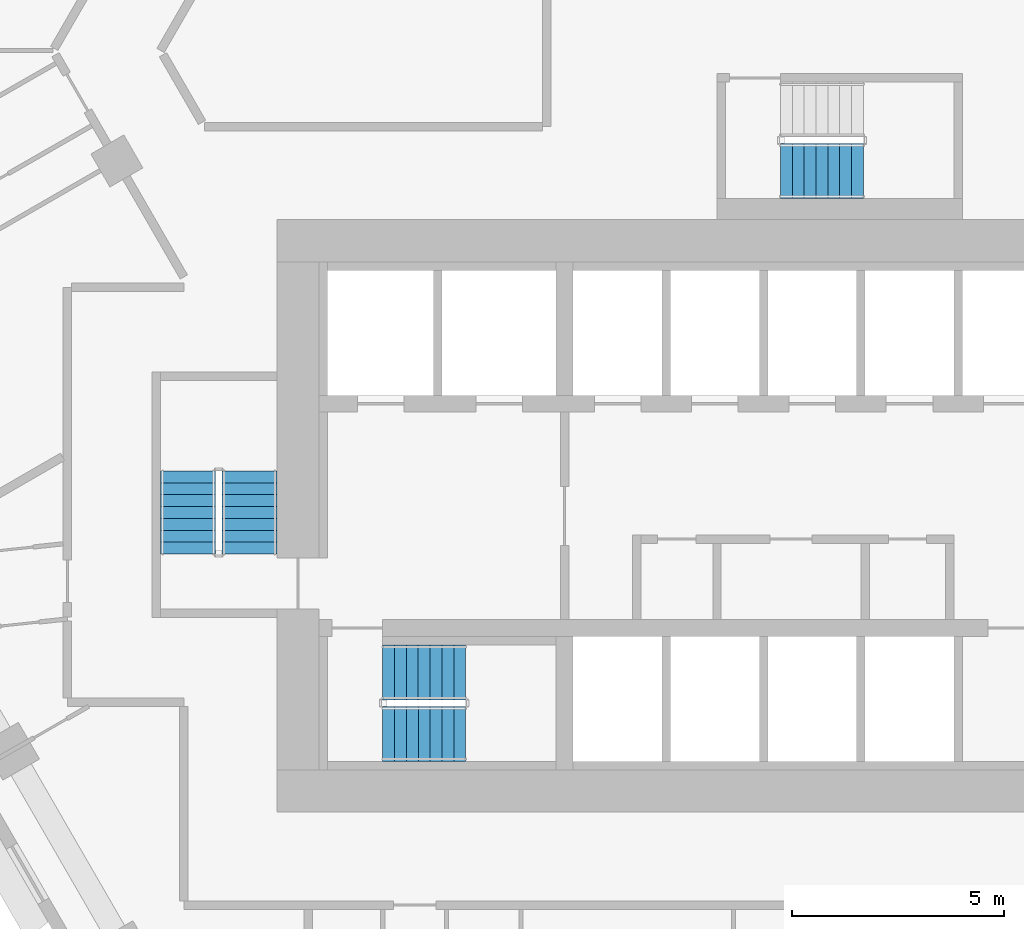
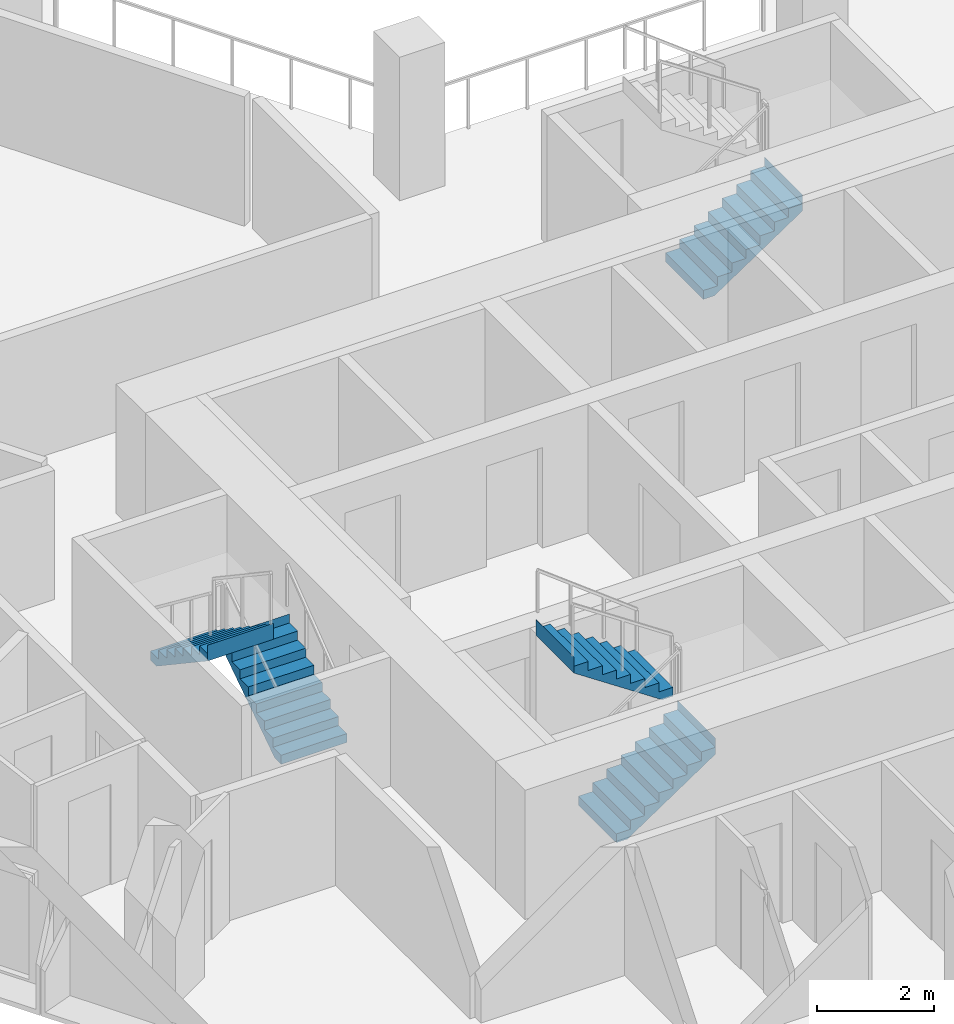
# One storey, part 11 of 16: 5 stair flights, 3 elements without a shape of their own.
"""IFC4 building model written with IfcOpenShell, lengths in metres."""

from ifc_helpers import new_model, si_unit, direction, frame, origin, place, context, subcontext, project, spatial, triangles, material, type_object, element, aggregate, save


model = new_model("IFC4")

# Units and contexts
model_context = context("Model", 3, precision=1e-05, world=origin(), true_north=direction((0.0, 1.0)))
body_context = subcontext(model_context, "Body", "Model", "MODEL_VIEW")
ifc_project = project(units=[si_unit("LENGTHUNIT", "METRE"), si_unit("AREAUNIT", "SQUARE_METRE"), si_unit("VOLUMEUNIT", "CUBIC_METRE"), si_unit("PLANEANGLEUNIT", "RADIAN"), si_unit("MASSUNIT", "GRAM", prefix="KILO")], contexts=[model_context])

# Site, building, storey
site_placement = place(None, origin())
site = spatial("IfcSite", under=ifc_project, at=site_placement, CompositionType="ELEMENT")
building_placement = place(site_placement, origin())
building = spatial("IfcBuilding", under=site, at=building_placement, Name="Beryl Residences", CompositionType="ELEMENT")
storey_placement = place(building_placement, frame((0.0, 0.0, 90.0)))
storey = spatial("IfcBuildingStorey", under=building, at=storey_placement, Name="L27", CompositionType="ELEMENT", Elevation=90.0)

# Stair, stair flights
ifc_material_1 = material(Name="Concrete C40/50", Category="concrete")
stair_type = type_object("IfcStairType", Name="ST1 protected exit stair, half-turn, 1300 mm flights", PredefinedType="HALF_TURN_STAIR", material=ifc_material_1)
stair_1_placement = place(storey_placement, origin())
stair_1 = element("IfcStair", 1, at=stair_1_placement, inside=storey, type_object=stair_type, Name="L27 PROTECTED EXIT STAIR ST-1", PredefinedType="HALF_TURN_STAIR")
ifc_material_2 = material(Name="Concrete C40/50", Category="concrete")
stair_flight_type = type_object("IfcStairFlightType", Name="SF1 stair flight 1300 mm", PredefinedType="STRAIGHT", material=ifc_material_2)
stair_flight_1_placement = place(storey_placement, frame((-10.800048828125, -17.14990234375, 0.0), z_axis=(0.0, 0.0, 1.0), x_axis=(1.0, 0.0, 0.0)))
stair_flight_1 = element("IfcStairFlight", 2, at=stair_flight_1_placement, type_object=stair_flight_type, Name="ST-1 flight 1", NumberOfRisers=8, NumberOfTreads=7, PredefinedType="STRAIGHT", RiserHeight=0.1875, TreadLength=0.28, context=body_context, shape_type="Tessellation", body=[
    triangles([(0.0, -0.64990234375, 0.0), (0.0, -0.324951171875, 0.0), (0.0, 0.0, 0.0), (0.0, 0.324951171875, 0.0), (0.0, 0.64990234375, 0.0), (0.0, -0.64990234375, 0.1875), (0.0, -0.324951171875, 0.1875), (0.0, 0.0, 0.1875), (0.0, 0.324951171875, 0.1875), (0.0, 0.64990234375, 0.1875), (0.280029296875, -0.64990234375, 0.1875), (0.280029296875, -0.324951171875, 0.1875), (0.280029296875, 0.0, 0.1875), (0.280029296875, 0.324951171875, 0.1875), (0.280029296875, 0.64990234375, 0.1875), (0.280029296875, -0.64990234375, 0.375), (0.280029296875, -0.324951171875, 0.375), (0.280029296875, 0.0, 0.375), (0.280029296875, 0.324951171875, 0.375), (0.280029296875, 0.64990234375, 0.375), (0.56005859375, -0.64990234375, 0.375), (0.56005859375, -0.324951171875, 0.375), (0.56005859375, 0.0, 0.375), (0.56005859375, 0.324951171875, 0.375), (0.56005859375, 0.64990234375, 0.375), (0.56005859375, -0.64990234375, 0.5625), (0.56005859375, -0.324951171875, 0.5625), (0.56005859375, 0.0, 0.5625), (0.56005859375, 0.324951171875, 0.5625), (0.56005859375, 0.64990234375, 0.5625), (0.840087890625, -0.64990234375, 0.5625), (0.840087890625, -0.324951171875, 0.5625), (0.840087890625, 0.0, 0.5625), (0.840087890625, 0.324951171875, 0.5625), (0.840087890625, 0.64990234375, 0.5625), (0.840087890625, -0.64990234375, 0.75), (0.840087890625, -0.324951171875, 0.75), (0.840087890625, 0.0, 0.75), (0.840087890625, 0.324951171875, 0.75), (0.840087890625, 0.64990234375, 0.75), (1.1201171875, -0.64990234375, 0.75), (1.1201171875, -0.324951171875, 0.75), (1.1201171875, 0.0, 0.75), (1.1201171875, 0.324951171875, 0.75), (1.1201171875, 0.64990234375, 0.75), (1.1201171875, -0.64990234375, 0.9375), (1.1201171875, -0.324951171875, 0.9375), (1.1201171875, 0.0, 0.9375), (1.1201171875, 0.324951171875, 0.9375), (1.1201171875, 0.64990234375, 0.9375), (1.39990234375, -0.64990234375, 0.9375), (1.39990234375, -0.324951171875, 0.9375), (1.39990234375, 0.0, 0.9375), (1.39990234375, 0.324951171875, 0.9375), (1.39990234375, 0.64990234375, 0.9375), (1.39990234375, -0.64990234375, 1.125), (1.39990234375, -0.324951171875, 1.125), (1.39990234375, 0.0, 1.125), (1.39990234375, 0.324951171875, 1.125), (1.39990234375, 0.64990234375, 1.125), (1.679931640625, -0.64990234375, 1.125), (1.679931640625, -0.324951171875, 1.125), (1.679931640625, 0.0, 1.125), (1.679931640625, 0.324951171875, 1.125), (1.679931640625, 0.64990234375, 1.125), (1.679931640625, -0.64990234375, 1.3125), (1.679931640625, -0.324951171875, 1.3125), (1.679931640625, 0.0, 1.3125), (1.679931640625, 0.324951171875, 1.3125), (1.679931640625, 0.64990234375, 1.3125), (1.9599609375, -0.64990234375, 1.3125), (1.9599609375, -0.324951171875, 1.3125), (1.9599609375, 0.0, 1.3125), (1.9599609375, 0.324951171875, 1.3125), (1.9599609375, 0.64990234375, 1.3125), (1.9599609375, -0.64990234375, 1.5), (1.9599609375, -0.324951171875, 1.5), (1.9599609375, 0.0, 1.5), (1.9599609375, 0.324951171875, 1.5), (1.9599609375, 0.64990234375, 1.5), (1.9609375, -0.64990234375, 1.5), (1.9609375, -0.324951171875, 1.5), (1.9609375, 0.0, 1.5), (1.9609375, 0.324951171875, 1.5), (1.9609375, 0.64990234375, 1.5), (1.9609375, -0.64990234375, 1.16796875), (1.9609375, -0.324951171875, 1.16796875), (1.9609375, 0.0, 1.16796875), (1.9609375, 0.324951171875, 1.16796875), (1.9609375, 0.64990234375, 1.16796875), (0.216796875, -0.64990234375, 0.0), (0.216796875, -0.324951171875, 0.0), (0.216796875, 0.0, 0.0), (0.216796875, 0.324951171875, 0.0), (0.216796875, 0.64990234375, 0.0)], [[1, 6, 7], [1, 7, 2], [2, 7, 8], [2, 8, 3], [3, 8, 9], [3, 9, 4], [4, 9, 10], [4, 10, 5], [6, 11, 12], [6, 12, 7], [7, 12, 13], [7, 13, 8], [8, 13, 14], [8, 14, 9], [9, 14, 15], [9, 15, 10], [11, 16, 17], [11, 17, 12], [12, 17, 18], [12, 18, 13], [13, 18, 19], [13, 19, 14], [14, 19, 20], [14, 20, 15], [16, 21, 22], [16, 22, 17], [17, 22, 23], [17, 23, 18], [18, 23, 24], [18, 24, 19], [19, 24, 25], [19, 25, 20], [21, 26, 27], [21, 27, 22], [22, 27, 28], [22, 28, 23], [23, 28, 29], [23, 29, 24], [24, 29, 30], [24, 30, 25], [26, 31, 32], [26, 32, 27], [27, 32, 33], [27, 33, 28], [28, 33, 34], [28, 34, 29], [29, 34, 35], [29, 35, 30], [31, 36, 37], [31, 37, 32], [32, 37, 38], [32, 38, 33], [33, 38, 39], [33, 39, 34], [34, 39, 40], [34, 40, 35], [36, 41, 42], [36, 42, 37], [37, 42, 43], [37, 43, 38], [38, 43, 44], [38, 44, 39], [39, 44, 45], [39, 45, 40], [41, 46, 47], [41, 47, 42], [42, 47, 48], [42, 48, 43], [43, 48, 49], [43, 49, 44], [44, 49, 50], [44, 50, 45], [46, 51, 52], [46, 52, 47], [47, 52, 53], [47, 53, 48], [48, 53, 54], [48, 54, 49], [49, 54, 55], [49, 55, 50], [51, 56, 57], [51, 57, 52], [52, 57, 58], [52, 58, 53], [53, 58, 59], [53, 59, 54], [54, 59, 60], [54, 60, 55], [56, 61, 62], [56, 62, 57], [57, 62, 63], [57, 63, 58], [58, 63, 64], [58, 64, 59], [59, 64, 65], [59, 65, 60], [61, 66, 67], [61, 67, 62], [62, 67, 68], [62, 68, 63], [63, 68, 69], [63, 69, 64], [64, 69, 70], [64, 70, 65], [66, 71, 72], [66, 72, 67], [67, 72, 73], [67, 73, 68], [68, 73, 74], [68, 74, 69], [69, 74, 75], [69, 75, 70], [71, 76, 77], [71, 77, 72], [72, 77, 78], [72, 78, 73], [73, 78, 79], [73, 79, 74], [74, 79, 80], [74, 80, 75], [76, 81, 82], [76, 82, 77], [77, 82, 83], [77, 83, 78], [78, 83, 84], [78, 84, 79], [79, 84, 85], [79, 85, 80], [81, 86, 87], [81, 87, 82], [82, 87, 88], [82, 88, 83], [83, 88, 89], [83, 89, 84], [84, 89, 90], [84, 90, 85], [86, 91, 92], [86, 92, 87], [87, 92, 93], [87, 93, 88], [88, 93, 94], [88, 94, 89], [89, 94, 95], [89, 95, 90], [91, 1, 2], [91, 2, 92], [92, 2, 3], [92, 3, 93], [93, 3, 4], [93, 4, 94], [94, 4, 5], [94, 5, 95], [1, 91, 86], [5, 90, 95], [86, 81, 76], [90, 80, 85], [86, 76, 71], [90, 75, 80], [86, 71, 66], [90, 70, 75], [86, 66, 61], [90, 65, 70], [61, 56, 51], [65, 55, 60], [86, 61, 51], [90, 55, 65], [51, 46, 41], [55, 45, 50], [86, 51, 41], [90, 45, 55], [41, 36, 31], [45, 35, 40], [86, 41, 31], [90, 35, 45], [31, 26, 21], [35, 25, 30], [86, 31, 21], [90, 25, 35], [21, 16, 11], [25, 15, 20], [86, 21, 11], [90, 15, 25], [1, 86, 11], [5, 15, 90], [11, 6, 1], [15, 5, 10]], closed=True),
])
stair_flight_2_placement = place(storey_placement, frame((-8.840087890625, -15.699951171875, 1.5), z_axis=(0.0, 0.0, 1.0), x_axis=(-1.0, 0.0, 0.0)))
stair_flight_2 = element("IfcStairFlight", 3, at=stair_flight_2_placement, type_object=stair_flight_type, Name="ST-1 flight 2", NumberOfRisers=8, NumberOfTreads=7, PredefinedType="STRAIGHT", RiserHeight=0.1875, TreadLength=0.28, context=body_context, shape_type="Tessellation", body=[
    triangles([(0.0, -0.64990234375, 0.0), (0.0, -0.324951171875, 0.0), (0.0, 0.0, 0.0), (0.0, 0.324951171875, 0.0), (0.0, 0.64990234375, 0.0), (0.0, -0.64990234375, 0.1875), (0.0, -0.324951171875, 0.1875), (0.0, 0.0, 0.1875), (0.0, 0.324951171875, 0.1875), (0.0, 0.64990234375, 0.1875), (0.280029296875, -0.64990234375, 0.1875), (0.280029296875, -0.324951171875, 0.1875), (0.280029296875, 0.0, 0.1875), (0.280029296875, 0.324951171875, 0.1875), (0.280029296875, 0.64990234375, 0.1875), (0.280029296875, -0.64990234375, 0.375), (0.280029296875, -0.324951171875, 0.375), (0.280029296875, 0.0, 0.375), (0.280029296875, 0.324951171875, 0.375), (0.280029296875, 0.64990234375, 0.375), (0.56005859375, -0.64990234375, 0.375), (0.56005859375, -0.324951171875, 0.375), (0.56005859375, 0.0, 0.375), (0.56005859375, 0.324951171875, 0.375), (0.56005859375, 0.64990234375, 0.375), (0.56005859375, -0.64990234375, 0.5625), (0.56005859375, -0.324951171875, 0.5625), (0.56005859375, 0.0, 0.5625), (0.56005859375, 0.324951171875, 0.5625), (0.56005859375, 0.64990234375, 0.5625), (0.840087890625, -0.64990234375, 0.5625), (0.840087890625, -0.324951171875, 0.5625), (0.840087890625, 0.0, 0.5625), (0.840087890625, 0.324951171875, 0.5625), (0.840087890625, 0.64990234375, 0.5625), (0.840087890625, -0.64990234375, 0.75), (0.840087890625, -0.324951171875, 0.75), (0.840087890625, 0.0, 0.75), (0.840087890625, 0.324951171875, 0.75), (0.840087890625, 0.64990234375, 0.75), (1.1201171875, -0.64990234375, 0.75), (1.1201171875, -0.324951171875, 0.75), (1.1201171875, 0.0, 0.75), (1.1201171875, 0.324951171875, 0.75), (1.1201171875, 0.64990234375, 0.75), (1.1201171875, -0.64990234375, 0.9375), (1.1201171875, -0.324951171875, 0.9375), (1.1201171875, 0.0, 0.9375), (1.1201171875, 0.324951171875, 0.9375), (1.1201171875, 0.64990234375, 0.9375), (1.39990234375, -0.64990234375, 0.9375), (1.39990234375, -0.324951171875, 0.9375), (1.39990234375, 0.0, 0.9375), (1.39990234375, 0.324951171875, 0.9375), (1.39990234375, 0.64990234375, 0.9375), (1.39990234375, -0.64990234375, 1.125), (1.39990234375, -0.324951171875, 1.125), (1.39990234375, 0.0, 1.125), (1.39990234375, 0.324951171875, 1.125), (1.39990234375, 0.64990234375, 1.125), (1.679931640625, -0.64990234375, 1.125), (1.679931640625, -0.324951171875, 1.125), (1.679931640625, 0.0, 1.125), (1.679931640625, 0.324951171875, 1.125), (1.679931640625, 0.64990234375, 1.125), (1.679931640625, -0.64990234375, 1.3125), (1.679931640625, -0.324951171875, 1.3125), (1.679931640625, 0.0, 1.3125), (1.679931640625, 0.324951171875, 1.3125), (1.679931640625, 0.64990234375, 1.3125), (1.9599609375, -0.64990234375, 1.3125), (1.9599609375, -0.324951171875, 1.3125), (1.9599609375, 0.0, 1.3125), (1.9599609375, 0.324951171875, 1.3125), (1.9599609375, 0.64990234375, 1.3125), (1.9599609375, -0.64990234375, 1.5), (1.9599609375, -0.324951171875, 1.5), (1.9599609375, 0.0, 1.5), (1.9599609375, 0.324951171875, 1.5), (1.9599609375, 0.64990234375, 1.5), (1.9609375, -0.64990234375, 1.5), (1.9609375, -0.324951171875, 1.5), (1.9609375, 0.0, 1.5), (1.9609375, 0.324951171875, 1.5), (1.9609375, 0.64990234375, 1.5), (1.9609375, -0.64990234375, 1.16796875), (1.9609375, -0.324951171875, 1.16796875), (1.9609375, 0.0, 1.16796875), (1.9609375, 0.324951171875, 1.16796875), (1.9609375, 0.64990234375, 1.16796875), (0.216796875, -0.64990234375, 0.0), (0.216796875, -0.324951171875, 0.0), (0.216796875, 0.0, 0.0), (0.216796875, 0.324951171875, 0.0), (0.216796875, 0.64990234375, 0.0)], [[1, 6, 7], [1, 7, 2], [2, 7, 8], [2, 8, 3], [3, 8, 9], [3, 9, 4], [4, 9, 10], [4, 10, 5], [6, 11, 12], [6, 12, 7], [7, 12, 13], [7, 13, 8], [8, 13, 14], [8, 14, 9], [9, 14, 15], [9, 15, 10], [11, 16, 17], [11, 17, 12], [12, 17, 18], [12, 18, 13], [13, 18, 19], [13, 19, 14], [14, 19, 20], [14, 20, 15], [16, 21, 22], [16, 22, 17], [17, 22, 23], [17, 23, 18], [18, 23, 24], [18, 24, 19], [19, 24, 25], [19, 25, 20], [21, 26, 27], [21, 27, 22], [22, 27, 28], [22, 28, 23], [23, 28, 29], [23, 29, 24], [24, 29, 30], [24, 30, 25], [26, 31, 32], [26, 32, 27], [27, 32, 33], [27, 33, 28], [28, 33, 34], [28, 34, 29], [29, 34, 35], [29, 35, 30], [31, 36, 37], [31, 37, 32], [32, 37, 38], [32, 38, 33], [33, 38, 39], [33, 39, 34], [34, 39, 40], [34, 40, 35], [36, 41, 42], [36, 42, 37], [37, 42, 43], [37, 43, 38], [38, 43, 44], [38, 44, 39], [39, 44, 45], [39, 45, 40], [41, 46, 47], [41, 47, 42], [42, 47, 48], [42, 48, 43], [43, 48, 49], [43, 49, 44], [44, 49, 50], [44, 50, 45], [46, 51, 52], [46, 52, 47], [47, 52, 53], [47, 53, 48], [48, 53, 54], [48, 54, 49], [49, 54, 55], [49, 55, 50], [51, 56, 57], [51, 57, 52], [52, 57, 58], [52, 58, 53], [53, 58, 59], [53, 59, 54], [54, 59, 60], [54, 60, 55], [56, 61, 62], [56, 62, 57], [57, 62, 63], [57, 63, 58], [58, 63, 64], [58, 64, 59], [59, 64, 65], [59, 65, 60], [61, 66, 67], [61, 67, 62], [62, 67, 68], [62, 68, 63], [63, 68, 69], [63, 69, 64], [64, 69, 70], [64, 70, 65], [66, 71, 72], [66, 72, 67], [67, 72, 73], [67, 73, 68], [68, 73, 74], [68, 74, 69], [69, 74, 75], [69, 75, 70], [71, 76, 77], [71, 77, 72], [72, 77, 78], [72, 78, 73], [73, 78, 79], [73, 79, 74], [74, 79, 80], [74, 80, 75], [76, 81, 82], [76, 82, 77], [77, 82, 83], [77, 83, 78], [78, 83, 84], [78, 84, 79], [79, 84, 85], [79, 85, 80], [81, 86, 87], [81, 87, 82], [82, 87, 88], [82, 88, 83], [83, 88, 89], [83, 89, 84], [84, 89, 90], [84, 90, 85], [86, 91, 92], [86, 92, 87], [87, 92, 93], [87, 93, 88], [88, 93, 94], [88, 94, 89], [89, 94, 95], [89, 95, 90], [91, 1, 2], [91, 2, 92], [92, 2, 3], [92, 3, 93], [93, 3, 4], [93, 4, 94], [94, 4, 5], [94, 5, 95], [1, 91, 86], [5, 90, 95], [86, 81, 76], [90, 80, 85], [86, 76, 71], [90, 75, 80], [86, 71, 66], [90, 70, 75], [86, 66, 61], [90, 65, 70], [61, 56, 51], [65, 55, 60], [86, 61, 51], [90, 55, 65], [51, 46, 41], [55, 45, 50], [86, 51, 41], [90, 45, 55], [41, 36, 31], [45, 35, 40], [86, 41, 31], [90, 35, 45], [31, 26, 21], [35, 25, 30], [86, 31, 21], [90, 25, 35], [21, 16, 11], [25, 15, 20], [86, 21, 11], [90, 15, 25], [1, 86, 11], [5, 15, 90], [11, 6, 1], [15, 5, 10]], closed=True),
])
aggregate(stair_1, [stair_flight_1, stair_flight_2])

stair_2_placement = place(storey_placement, origin())
stair_2 = element("IfcStair", 4, at=stair_2_placement, inside=storey, type_object=stair_type, Name="L27 PROTECTED EXIT STAIR ST-2", PredefinedType="HALF_TURN_STAIR")
stair_flight_3_placement = place(storey_placement, frame((-13.949951171875, -12.89990234375, 0.0), z_axis=(0.0, 0.0, 1.0), x_axis=(0.0, 1.0, 0.0)))
stair_flight_3 = element("IfcStairFlight", 5, at=stair_flight_3_placement, type_object=stair_flight_type, Name="ST-2 flight 1", NumberOfRisers=8, NumberOfTreads=7, PredefinedType="STRAIGHT", RiserHeight=0.1875, TreadLength=0.28, context=body_context, shape_type="Tessellation", body=[
    triangles([(0.0, -0.64990234375, 0.0), (0.0, -0.324951171875, 0.0), (0.0, 0.0, 0.0), (0.0, 0.324951171875, 0.0), (0.0, 0.64990234375, 0.0), (0.0, -0.64990234375, 0.1875), (0.0, -0.324951171875, 0.1875), (0.0, 0.0, 0.1875), (0.0, 0.324951171875, 0.1875), (0.0, 0.64990234375, 0.1875), (0.280029296875, -0.64990234375, 0.1875), (0.280029296875, -0.324951171875, 0.1875), (0.280029296875, 0.0, 0.1875), (0.280029296875, 0.324951171875, 0.1875), (0.280029296875, 0.64990234375, 0.1875), (0.280029296875, -0.64990234375, 0.375), (0.280029296875, -0.324951171875, 0.375), (0.280029296875, 0.0, 0.375), (0.280029296875, 0.324951171875, 0.375), (0.280029296875, 0.64990234375, 0.375), (0.56005859375, -0.64990234375, 0.375), (0.56005859375, -0.324951171875, 0.375), (0.56005859375, 0.0, 0.375), (0.56005859375, 0.324951171875, 0.375), (0.56005859375, 0.64990234375, 0.375), (0.56005859375, -0.64990234375, 0.5625), (0.56005859375, -0.324951171875, 0.5625), (0.56005859375, 0.0, 0.5625), (0.56005859375, 0.324951171875, 0.5625), (0.56005859375, 0.64990234375, 0.5625), (0.840087890625, -0.64990234375, 0.5625), (0.840087890625, -0.324951171875, 0.5625), (0.840087890625, 0.0, 0.5625), (0.840087890625, 0.324951171875, 0.5625), (0.840087890625, 0.64990234375, 0.5625), (0.840087890625, -0.64990234375, 0.75), (0.840087890625, -0.324951171875, 0.75), (0.840087890625, 0.0, 0.75), (0.840087890625, 0.324951171875, 0.75), (0.840087890625, 0.64990234375, 0.75), (1.1201171875, -0.64990234375, 0.75), (1.1201171875, -0.324951171875, 0.75), (1.1201171875, 0.0, 0.75), (1.1201171875, 0.324951171875, 0.75), (1.1201171875, 0.64990234375, 0.75), (1.1201171875, -0.64990234375, 0.9375), (1.1201171875, -0.324951171875, 0.9375), (1.1201171875, 0.0, 0.9375), (1.1201171875, 0.324951171875, 0.9375), (1.1201171875, 0.64990234375, 0.9375), (1.39990234375, -0.64990234375, 0.9375), (1.39990234375, -0.324951171875, 0.9375), (1.39990234375, 0.0, 0.9375), (1.39990234375, 0.324951171875, 0.9375), (1.39990234375, 0.64990234375, 0.9375), (1.39990234375, -0.64990234375, 1.125), (1.39990234375, -0.324951171875, 1.125), (1.39990234375, 0.0, 1.125), (1.39990234375, 0.324951171875, 1.125), (1.39990234375, 0.64990234375, 1.125), (1.679931640625, -0.64990234375, 1.125), (1.679931640625, -0.324951171875, 1.125), (1.679931640625, 0.0, 1.125), (1.679931640625, 0.324951171875, 1.125), (1.679931640625, 0.64990234375, 1.125), (1.679931640625, -0.64990234375, 1.3125), (1.679931640625, -0.324951171875, 1.3125), (1.679931640625, 0.0, 1.3125), (1.679931640625, 0.324951171875, 1.3125), (1.679931640625, 0.64990234375, 1.3125), (1.9599609375, -0.64990234375, 1.3125), (1.9599609375, -0.324951171875, 1.3125), (1.9599609375, 0.0, 1.3125), (1.9599609375, 0.324951171875, 1.3125), (1.9599609375, 0.64990234375, 1.3125), (1.9599609375, -0.64990234375, 1.5), (1.9599609375, -0.324951171875, 1.5), (1.9599609375, 0.0, 1.5), (1.9599609375, 0.324951171875, 1.5), (1.9599609375, 0.64990234375, 1.5), (1.9609375, -0.64990234375, 1.5), (1.9609375, -0.324951171875, 1.5), (1.9609375, 0.0, 1.5), (1.9609375, 0.324951171875, 1.5), (1.9609375, 0.64990234375, 1.5), (1.9609375, -0.64990234375, 1.16796875), (1.9609375, -0.324951171875, 1.16796875), (1.9609375, 0.0, 1.16796875), (1.9609375, 0.324951171875, 1.16796875), (1.9609375, 0.64990234375, 1.16796875), (0.216796875, -0.64990234375, 0.0), (0.216796875, -0.324951171875, 0.0), (0.216796875, 0.0, 0.0), (0.216796875, 0.324951171875, 0.0), (0.216796875, 0.64990234375, 0.0)], [[1, 6, 7], [1, 7, 2], [2, 7, 8], [2, 8, 3], [3, 8, 9], [3, 9, 4], [4, 9, 10], [4, 10, 5], [6, 11, 12], [6, 12, 7], [7, 12, 13], [7, 13, 8], [8, 13, 14], [8, 14, 9], [9, 14, 15], [9, 15, 10], [11, 16, 17], [11, 17, 12], [12, 17, 18], [12, 18, 13], [13, 18, 19], [13, 19, 14], [14, 19, 20], [14, 20, 15], [16, 21, 22], [16, 22, 17], [17, 22, 23], [17, 23, 18], [18, 23, 24], [18, 24, 19], [19, 24, 25], [19, 25, 20], [21, 26, 27], [21, 27, 22], [22, 27, 28], [22, 28, 23], [23, 28, 29], [23, 29, 24], [24, 29, 30], [24, 30, 25], [26, 31, 32], [26, 32, 27], [27, 32, 33], [27, 33, 28], [28, 33, 34], [28, 34, 29], [29, 34, 35], [29, 35, 30], [31, 36, 37], [31, 37, 32], [32, 37, 38], [32, 38, 33], [33, 38, 39], [33, 39, 34], [34, 39, 40], [34, 40, 35], [36, 41, 42], [36, 42, 37], [37, 42, 43], [37, 43, 38], [38, 43, 44], [38, 44, 39], [39, 44, 45], [39, 45, 40], [41, 46, 47], [41, 47, 42], [42, 47, 48], [42, 48, 43], [43, 48, 49], [43, 49, 44], [44, 49, 50], [44, 50, 45], [46, 51, 52], [46, 52, 47], [47, 52, 53], [47, 53, 48], [48, 53, 54], [48, 54, 49], [49, 54, 55], [49, 55, 50], [51, 56, 57], [51, 57, 52], [52, 57, 58], [52, 58, 53], [53, 58, 59], [53, 59, 54], [54, 59, 60], [54, 60, 55], [56, 61, 62], [56, 62, 57], [57, 62, 63], [57, 63, 58], [58, 63, 64], [58, 64, 59], [59, 64, 65], [59, 65, 60], [61, 66, 67], [61, 67, 62], [62, 67, 68], [62, 68, 63], [63, 68, 69], [63, 69, 64], [64, 69, 70], [64, 70, 65], [66, 71, 72], [66, 72, 67], [67, 72, 73], [67, 73, 68], [68, 73, 74], [68, 74, 69], [69, 74, 75], [69, 75, 70], [71, 76, 77], [71, 77, 72], [72, 77, 78], [72, 78, 73], [73, 78, 79], [73, 79, 74], [74, 79, 80], [74, 80, 75], [76, 81, 82], [76, 82, 77], [77, 82, 83], [77, 83, 78], [78, 83, 84], [78, 84, 79], [79, 84, 85], [79, 85, 80], [81, 86, 87], [81, 87, 82], [82, 87, 88], [82, 88, 83], [83, 88, 89], [83, 89, 84], [84, 89, 90], [84, 90, 85], [86, 91, 92], [86, 92, 87], [87, 92, 93], [87, 93, 88], [88, 93, 94], [88, 94, 89], [89, 94, 95], [89, 95, 90], [91, 1, 2], [91, 2, 92], [92, 2, 3], [92, 3, 93], [93, 3, 4], [93, 4, 94], [94, 4, 5], [94, 5, 95], [1, 91, 86], [5, 90, 95], [86, 81, 76], [90, 80, 85], [86, 76, 71], [90, 75, 80], [86, 71, 66], [90, 70, 75], [86, 66, 61], [90, 65, 70], [61, 56, 51], [65, 55, 60], [86, 61, 51], [90, 55, 65], [51, 46, 41], [55, 45, 50], [86, 51, 41], [90, 45, 55], [41, 36, 31], [45, 35, 40], [86, 41, 31], [90, 35, 45], [31, 26, 21], [35, 25, 30], [86, 31, 21], [90, 25, 35], [21, 16, 11], [25, 15, 20], [86, 21, 11], [90, 15, 25], [1, 86, 11], [5, 15, 90], [11, 6, 1], [15, 5, 10]], closed=True),
])
stair_flight_4_placement = place(storey_placement, frame((-15.39990234375, -10.93994140625, 1.5), z_axis=(0.0, 0.0, 1.0), x_axis=(0.0, -1.0, 0.0)))
stair_flight_4 = element("IfcStairFlight", 6, at=stair_flight_4_placement, type_object=stair_flight_type, Name="ST-2 flight 2", NumberOfRisers=8, NumberOfTreads=7, PredefinedType="STRAIGHT", RiserHeight=0.1875, TreadLength=0.28, context=body_context, shape_type="Tessellation", body=[
    triangles([(0.0, -0.64990234375, 0.0), (0.0, -0.324951171875, 0.0), (0.0, 0.0, 0.0), (0.0, 0.324951171875, 0.0), (0.0, 0.64990234375, 0.0), (0.0, -0.64990234375, 0.1875), (0.0, -0.324951171875, 0.1875), (0.0, 0.0, 0.1875), (0.0, 0.324951171875, 0.1875), (0.0, 0.64990234375, 0.1875), (0.280029296875, -0.64990234375, 0.1875), (0.280029296875, -0.324951171875, 0.1875), (0.280029296875, 0.0, 0.1875), (0.280029296875, 0.324951171875, 0.1875), (0.280029296875, 0.64990234375, 0.1875), (0.280029296875, -0.64990234375, 0.375), (0.280029296875, -0.324951171875, 0.375), (0.280029296875, 0.0, 0.375), (0.280029296875, 0.324951171875, 0.375), (0.280029296875, 0.64990234375, 0.375), (0.56005859375, -0.64990234375, 0.375), (0.56005859375, -0.324951171875, 0.375), (0.56005859375, 0.0, 0.375), (0.56005859375, 0.324951171875, 0.375), (0.56005859375, 0.64990234375, 0.375), (0.56005859375, -0.64990234375, 0.5625), (0.56005859375, -0.324951171875, 0.5625), (0.56005859375, 0.0, 0.5625), (0.56005859375, 0.324951171875, 0.5625), (0.56005859375, 0.64990234375, 0.5625), (0.840087890625, -0.64990234375, 0.5625), (0.840087890625, -0.324951171875, 0.5625), (0.840087890625, 0.0, 0.5625), (0.840087890625, 0.324951171875, 0.5625), (0.840087890625, 0.64990234375, 0.5625), (0.840087890625, -0.64990234375, 0.75), (0.840087890625, -0.324951171875, 0.75), (0.840087890625, 0.0, 0.75), (0.840087890625, 0.324951171875, 0.75), (0.840087890625, 0.64990234375, 0.75), (1.1201171875, -0.64990234375, 0.75), (1.1201171875, -0.324951171875, 0.75), (1.1201171875, 0.0, 0.75), (1.1201171875, 0.324951171875, 0.75), (1.1201171875, 0.64990234375, 0.75), (1.1201171875, -0.64990234375, 0.9375), (1.1201171875, -0.324951171875, 0.9375), (1.1201171875, 0.0, 0.9375), (1.1201171875, 0.324951171875, 0.9375), (1.1201171875, 0.64990234375, 0.9375), (1.39990234375, -0.64990234375, 0.9375), (1.39990234375, -0.324951171875, 0.9375), (1.39990234375, 0.0, 0.9375), (1.39990234375, 0.324951171875, 0.9375), (1.39990234375, 0.64990234375, 0.9375), (1.39990234375, -0.64990234375, 1.125), (1.39990234375, -0.324951171875, 1.125), (1.39990234375, 0.0, 1.125), (1.39990234375, 0.324951171875, 1.125), (1.39990234375, 0.64990234375, 1.125), (1.679931640625, -0.64990234375, 1.125), (1.679931640625, -0.324951171875, 1.125), (1.679931640625, 0.0, 1.125), (1.679931640625, 0.324951171875, 1.125), (1.679931640625, 0.64990234375, 1.125), (1.679931640625, -0.64990234375, 1.3125), (1.679931640625, -0.324951171875, 1.3125), (1.679931640625, 0.0, 1.3125), (1.679931640625, 0.324951171875, 1.3125), (1.679931640625, 0.64990234375, 1.3125), (1.9599609375, -0.64990234375, 1.3125), (1.9599609375, -0.324951171875, 1.3125), (1.9599609375, 0.0, 1.3125), (1.9599609375, 0.324951171875, 1.3125), (1.9599609375, 0.64990234375, 1.3125), (1.9599609375, -0.64990234375, 1.5), (1.9599609375, -0.324951171875, 1.5), (1.9599609375, 0.0, 1.5), (1.9599609375, 0.324951171875, 1.5), (1.9599609375, 0.64990234375, 1.5), (1.9609375, -0.64990234375, 1.5), (1.9609375, -0.324951171875, 1.5), (1.9609375, 0.0, 1.5), (1.9609375, 0.324951171875, 1.5), (1.9609375, 0.64990234375, 1.5), (1.9609375, -0.64990234375, 1.16796875), (1.9609375, -0.324951171875, 1.16796875), (1.9609375, 0.0, 1.16796875), (1.9609375, 0.324951171875, 1.16796875), (1.9609375, 0.64990234375, 1.16796875), (0.216796875, -0.64990234375, 0.0), (0.216796875, -0.324951171875, 0.0), (0.216796875, 0.0, 0.0), (0.216796875, 0.324951171875, 0.0), (0.216796875, 0.64990234375, 0.0)], [[1, 6, 7], [1, 7, 2], [2, 7, 8], [2, 8, 3], [3, 8, 9], [3, 9, 4], [4, 9, 10], [4, 10, 5], [6, 11, 12], [6, 12, 7], [7, 12, 13], [7, 13, 8], [8, 13, 14], [8, 14, 9], [9, 14, 15], [9, 15, 10], [11, 16, 17], [11, 17, 12], [12, 17, 18], [12, 18, 13], [13, 18, 19], [13, 19, 14], [14, 19, 20], [14, 20, 15], [16, 21, 22], [16, 22, 17], [17, 22, 23], [17, 23, 18], [18, 23, 24], [18, 24, 19], [19, 24, 25], [19, 25, 20], [21, 26, 27], [21, 27, 22], [22, 27, 28], [22, 28, 23], [23, 28, 29], [23, 29, 24], [24, 29, 30], [24, 30, 25], [26, 31, 32], [26, 32, 27], [27, 32, 33], [27, 33, 28], [28, 33, 34], [28, 34, 29], [29, 34, 35], [29, 35, 30], [31, 36, 37], [31, 37, 32], [32, 37, 38], [32, 38, 33], [33, 38, 39], [33, 39, 34], [34, 39, 40], [34, 40, 35], [36, 41, 42], [36, 42, 37], [37, 42, 43], [37, 43, 38], [38, 43, 44], [38, 44, 39], [39, 44, 45], [39, 45, 40], [41, 46, 47], [41, 47, 42], [42, 47, 48], [42, 48, 43], [43, 48, 49], [43, 49, 44], [44, 49, 50], [44, 50, 45], [46, 51, 52], [46, 52, 47], [47, 52, 53], [47, 53, 48], [48, 53, 54], [48, 54, 49], [49, 54, 55], [49, 55, 50], [51, 56, 57], [51, 57, 52], [52, 57, 58], [52, 58, 53], [53, 58, 59], [53, 59, 54], [54, 59, 60], [54, 60, 55], [56, 61, 62], [56, 62, 57], [57, 62, 63], [57, 63, 58], [58, 63, 64], [58, 64, 59], [59, 64, 65], [59, 65, 60], [61, 66, 67], [61, 67, 62], [62, 67, 68], [62, 68, 63], [63, 68, 69], [63, 69, 64], [64, 69, 70], [64, 70, 65], [66, 71, 72], [66, 72, 67], [67, 72, 73], [67, 73, 68], [68, 73, 74], [68, 74, 69], [69, 74, 75], [69, 75, 70], [71, 76, 77], [71, 77, 72], [72, 77, 78], [72, 78, 73], [73, 78, 79], [73, 79, 74], [74, 79, 80], [74, 80, 75], [76, 81, 82], [76, 82, 77], [77, 82, 83], [77, 83, 78], [78, 83, 84], [78, 84, 79], [79, 84, 85], [79, 85, 80], [81, 86, 87], [81, 87, 82], [82, 87, 88], [82, 88, 83], [83, 88, 89], [83, 89, 84], [84, 89, 90], [84, 90, 85], [86, 91, 92], [86, 92, 87], [87, 92, 93], [87, 93, 88], [88, 93, 94], [88, 94, 89], [89, 94, 95], [89, 95, 90], [91, 1, 2], [91, 2, 92], [92, 2, 3], [92, 3, 93], [93, 3, 4], [93, 4, 94], [94, 4, 5], [94, 5, 95], [1, 91, 86], [5, 90, 95], [86, 81, 76], [90, 80, 85], [86, 76, 71], [90, 75, 80], [86, 71, 66], [90, 70, 75], [86, 66, 61], [90, 65, 70], [61, 56, 51], [65, 55, 60], [86, 61, 51], [90, 55, 65], [51, 46, 41], [55, 45, 50], [86, 51, 41], [90, 45, 55], [41, 36, 31], [45, 35, 40], [86, 41, 31], [90, 35, 45], [31, 26, 21], [35, 25, 30], [86, 31, 21], [90, 25, 35], [21, 16, 11], [25, 15, 20], [86, 21, 11], [90, 15, 25], [1, 86, 11], [5, 15, 90], [11, 6, 1], [15, 5, 10]], closed=True),
])
aggregate(stair_2, [stair_flight_3, stair_flight_4])

# Stair, stair flight
stair_3_placement = place(storey_placement, origin())
stair_3 = element("IfcStair", 7, at=stair_3_placement, inside=storey, type_object=stair_type, Name="L27 PROTECTED EXIT STAIR ST-4", PredefinedType="HALF_TURN_STAIR")
stair_flight_5_placement = place(storey_placement, frame((-1.39990234375, -3.85009765625, 0.0), z_axis=(0.0, 0.0, 1.0), x_axis=(1.0, 0.0, 0.0)))
stair_flight_5 = element("IfcStairFlight", 8, at=stair_flight_5_placement, type_object=stair_flight_type, Name="ST-4 flight 1", NumberOfRisers=8, NumberOfTreads=7, PredefinedType="STRAIGHT", RiserHeight=0.1875, TreadLength=0.28, context=body_context, shape_type="Tessellation", body=[
    triangles([(0.0, -0.64990234375, 0.0), (0.0, -0.324951171875, 0.0), (0.0, 0.0, 0.0), (0.0, 0.324951171875, 0.0), (0.0, 0.64990234375, 0.0), (0.0, -0.64990234375, 0.1875), (0.0, -0.324951171875, 0.1875), (0.0, 0.0, 0.1875), (0.0, 0.324951171875, 0.1875), (0.0, 0.64990234375, 0.1875), (0.280029296875, -0.64990234375, 0.1875), (0.280029296875, -0.324951171875, 0.1875), (0.280029296875, 0.0, 0.1875), (0.280029296875, 0.324951171875, 0.1875), (0.280029296875, 0.64990234375, 0.1875), (0.280029296875, -0.64990234375, 0.375), (0.280029296875, -0.324951171875, 0.375), (0.280029296875, 0.0, 0.375), (0.280029296875, 0.324951171875, 0.375), (0.280029296875, 0.64990234375, 0.375), (0.56005859375, -0.64990234375, 0.375), (0.56005859375, -0.324951171875, 0.375), (0.56005859375, 0.0, 0.375), (0.56005859375, 0.324951171875, 0.375), (0.56005859375, 0.64990234375, 0.375), (0.56005859375, -0.64990234375, 0.5625), (0.56005859375, -0.324951171875, 0.5625), (0.56005859375, 0.0, 0.5625), (0.56005859375, 0.324951171875, 0.5625), (0.56005859375, 0.64990234375, 0.5625), (0.840087890625, -0.64990234375, 0.5625), (0.840087890625, -0.324951171875, 0.5625), (0.840087890625, 0.0, 0.5625), (0.840087890625, 0.324951171875, 0.5625), (0.840087890625, 0.64990234375, 0.5625), (0.840087890625, -0.64990234375, 0.75), (0.840087890625, -0.324951171875, 0.75), (0.840087890625, 0.0, 0.75), (0.840087890625, 0.324951171875, 0.75), (0.840087890625, 0.64990234375, 0.75), (1.1201171875, -0.64990234375, 0.75), (1.1201171875, -0.324951171875, 0.75), (1.1201171875, 0.0, 0.75), (1.1201171875, 0.324951171875, 0.75), (1.1201171875, 0.64990234375, 0.75), (1.1201171875, -0.64990234375, 0.9375), (1.1201171875, -0.324951171875, 0.9375), (1.1201171875, 0.0, 0.9375), (1.1201171875, 0.324951171875, 0.9375), (1.1201171875, 0.64990234375, 0.9375), (1.39990234375, -0.64990234375, 0.9375), (1.39990234375, -0.324951171875, 0.9375), (1.39990234375, 0.0, 0.9375), (1.39990234375, 0.324951171875, 0.9375), (1.39990234375, 0.64990234375, 0.9375), (1.39990234375, -0.64990234375, 1.125), (1.39990234375, -0.324951171875, 1.125), (1.39990234375, 0.0, 1.125), (1.39990234375, 0.324951171875, 1.125), (1.39990234375, 0.64990234375, 1.125), (1.679931640625, -0.64990234375, 1.125), (1.679931640625, -0.324951171875, 1.125), (1.679931640625, 0.0, 1.125), (1.679931640625, 0.324951171875, 1.125), (1.679931640625, 0.64990234375, 1.125), (1.679931640625, -0.64990234375, 1.3125), (1.679931640625, -0.324951171875, 1.3125), (1.679931640625, 0.0, 1.3125), (1.679931640625, 0.324951171875, 1.3125), (1.679931640625, 0.64990234375, 1.3125), (1.9599609375, -0.64990234375, 1.3125), (1.9599609375, -0.324951171875, 1.3125), (1.9599609375, 0.0, 1.3125), (1.9599609375, 0.324951171875, 1.3125), (1.9599609375, 0.64990234375, 1.3125), (1.9599609375, -0.64990234375, 1.5), (1.9599609375, -0.324951171875, 1.5), (1.9599609375, 0.0, 1.5), (1.9599609375, 0.324951171875, 1.5), (1.9599609375, 0.64990234375, 1.5), (1.9609375, -0.64990234375, 1.5), (1.9609375, -0.324951171875, 1.5), (1.9609375, 0.0, 1.5), (1.9609375, 0.324951171875, 1.5), (1.9609375, 0.64990234375, 1.5), (1.9609375, -0.64990234375, 1.16796875), (1.9609375, -0.324951171875, 1.16796875), (1.9609375, 0.0, 1.16796875), (1.9609375, 0.324951171875, 1.16796875), (1.9609375, 0.64990234375, 1.16796875), (0.216796875, -0.64990234375, 0.0), (0.216796875, -0.324951171875, 0.0), (0.216796875, 0.0, 0.0), (0.216796875, 0.324951171875, 0.0), (0.216796875, 0.64990234375, 0.0)], [[1, 6, 7], [1, 7, 2], [2, 7, 8], [2, 8, 3], [3, 8, 9], [3, 9, 4], [4, 9, 10], [4, 10, 5], [6, 11, 12], [6, 12, 7], [7, 12, 13], [7, 13, 8], [8, 13, 14], [8, 14, 9], [9, 14, 15], [9, 15, 10], [11, 16, 17], [11, 17, 12], [12, 17, 18], [12, 18, 13], [13, 18, 19], [13, 19, 14], [14, 19, 20], [14, 20, 15], [16, 21, 22], [16, 22, 17], [17, 22, 23], [17, 23, 18], [18, 23, 24], [18, 24, 19], [19, 24, 25], [19, 25, 20], [21, 26, 27], [21, 27, 22], [22, 27, 28], [22, 28, 23], [23, 28, 29], [23, 29, 24], [24, 29, 30], [24, 30, 25], [26, 31, 32], [26, 32, 27], [27, 32, 33], [27, 33, 28], [28, 33, 34], [28, 34, 29], [29, 34, 35], [29, 35, 30], [31, 36, 37], [31, 37, 32], [32, 37, 38], [32, 38, 33], [33, 38, 39], [33, 39, 34], [34, 39, 40], [34, 40, 35], [36, 41, 42], [36, 42, 37], [37, 42, 43], [37, 43, 38], [38, 43, 44], [38, 44, 39], [39, 44, 45], [39, 45, 40], [41, 46, 47], [41, 47, 42], [42, 47, 48], [42, 48, 43], [43, 48, 49], [43, 49, 44], [44, 49, 50], [44, 50, 45], [46, 51, 52], [46, 52, 47], [47, 52, 53], [47, 53, 48], [48, 53, 54], [48, 54, 49], [49, 54, 55], [49, 55, 50], [51, 56, 57], [51, 57, 52], [52, 57, 58], [52, 58, 53], [53, 58, 59], [53, 59, 54], [54, 59, 60], [54, 60, 55], [56, 61, 62], [56, 62, 57], [57, 62, 63], [57, 63, 58], [58, 63, 64], [58, 64, 59], [59, 64, 65], [59, 65, 60], [61, 66, 67], [61, 67, 62], [62, 67, 68], [62, 68, 63], [63, 68, 69], [63, 69, 64], [64, 69, 70], [64, 70, 65], [66, 71, 72], [66, 72, 67], [67, 72, 73], [67, 73, 68], [68, 73, 74], [68, 74, 69], [69, 74, 75], [69, 75, 70], [71, 76, 77], [71, 77, 72], [72, 77, 78], [72, 78, 73], [73, 78, 79], [73, 79, 74], [74, 79, 80], [74, 80, 75], [76, 81, 82], [76, 82, 77], [77, 82, 83], [77, 83, 78], [78, 83, 84], [78, 84, 79], [79, 84, 85], [79, 85, 80], [81, 86, 87], [81, 87, 82], [82, 87, 88], [82, 88, 83], [83, 88, 89], [83, 89, 84], [84, 89, 90], [84, 90, 85], [86, 91, 92], [86, 92, 87], [87, 92, 93], [87, 93, 88], [88, 93, 94], [88, 94, 89], [89, 94, 95], [89, 95, 90], [91, 1, 2], [91, 2, 92], [92, 2, 3], [92, 3, 93], [93, 3, 4], [93, 4, 94], [94, 4, 5], [94, 5, 95], [1, 91, 86], [5, 90, 95], [86, 81, 76], [90, 80, 85], [86, 76, 71], [90, 75, 80], [86, 71, 66], [90, 70, 75], [86, 66, 61], [90, 65, 70], [61, 56, 51], [65, 55, 60], [86, 61, 51], [90, 55, 65], [51, 46, 41], [55, 45, 50], [86, 51, 41], [90, 45, 55], [41, 36, 31], [45, 35, 40], [86, 41, 31], [90, 35, 45], [31, 26, 21], [35, 25, 30], [86, 31, 21], [90, 25, 35], [21, 16, 11], [25, 15, 20], [86, 21, 11], [90, 15, 25], [1, 86, 11], [5, 15, 90], [11, 6, 1], [15, 5, 10]], closed=True),
])
aggregate(stair_3, [stair_flight_5])

save(model, "model.ifc")
